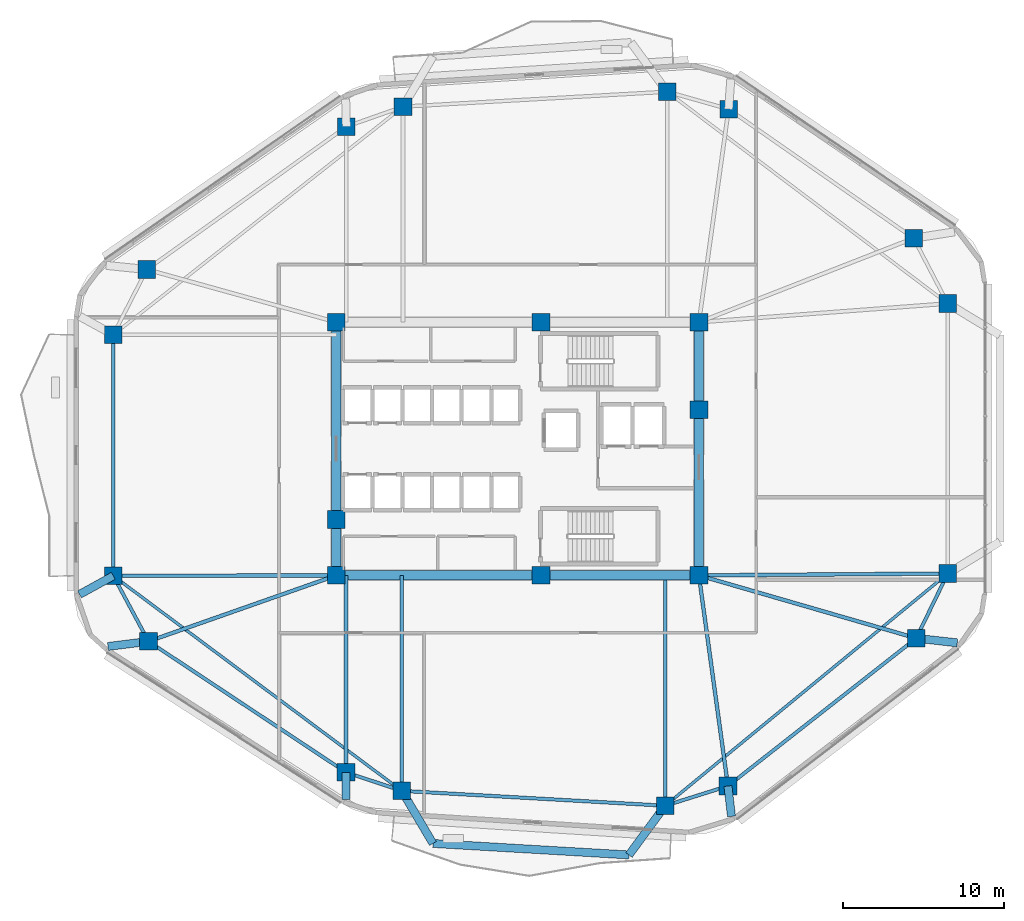
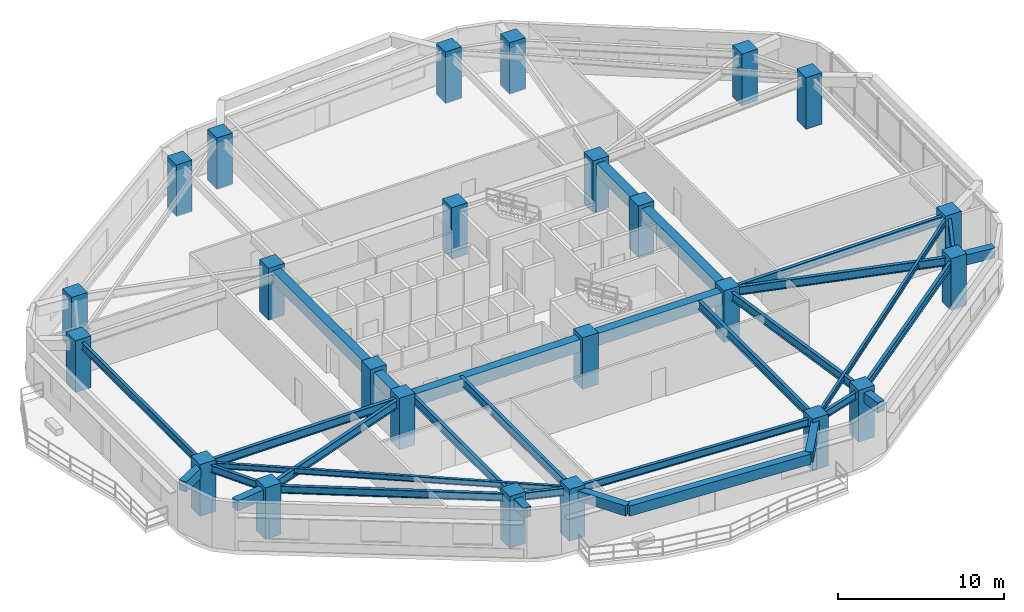
# One storey, part 1 of 13: 32 beams, 24 columns.
"""IFC4 building model written with IfcOpenShell, lengths in metres."""

from ifc_helpers import new_model, si_unit, direction, frame, origin, origin_2d, place, context, subcontext, project, spatial, rectangle, i_section, extrude, material, material_profile, profile_set, type_object, element, save


model = new_model("IFC4")

# Units and contexts
model_context = context("Model", 3, precision=1e-05, world=origin(), true_north=direction((0.0, 1.0)))
body_context = subcontext(model_context, "Body", "Model", "MODEL_VIEW")
ifc_project = project(units=[si_unit("LENGTHUNIT", "METRE"), si_unit("AREAUNIT", "SQUARE_METRE"), si_unit("VOLUMEUNIT", "CUBIC_METRE"), si_unit("PLANEANGLEUNIT", "RADIAN"), si_unit("MASSUNIT", "GRAM", prefix="KILO")], contexts=[model_context])

# Site, building, storey
site_placement = place(None, origin())
site = spatial("IfcSite", under=ifc_project, at=site_placement, CompositionType="ELEMENT")
building_placement = place(site_placement, origin())
building = spatial("IfcBuilding", under=site, at=building_placement, Name="Zulverin Broadcast Headquarters", CompositionType="ELEMENT")
storey_placement = place(building_placement, frame((0.0, 0.0, 108.60009765625)))
storey = spatial("IfcBuildingStorey", under=building, at=storey_placement, Name="L27", CompositionType="ELEMENT", Elevation=108.60009765625)

# Columns
ifc_material_1 = material(Name="Concrete C60/75", Category="concrete")
ifc_material_profile_1 = material_profile(ifc_material_1, rectangle(XDim=1.10009765625, YDim=1.10009765625, at=origin_2d()), Name="Concrete C60/75", Category="concrete")
ifc_profile_set_1 = profile_set([ifc_material_profile_1], Name="Concrete C60/75")
column_type_1 = type_object("IfcColumnType", Name="COL-RC-1100", PredefinedType="COLUMN", material=ifc_profile_set_1)
for number, where, z_axis, x_axis, name in (
    (1, (29.79638671875, 3.922119140625, 0.0), (0.0, 0.0, 1.0), (1.0, 0.0, 0.0), "L27 Perimeter Column T01"),
    (2, (46.175048828125, 2.997802734375, 0.0), (0.0, 0.0, 1.0), (1.0, 0.0, 0.0), "L27 Perimeter Column T02"),
    (3, (50.08056640625, 4.22509765625, 0.0), (0.0, 0.0, 1.0), (1.0, 0.0, 0.0), "L27 Perimeter Column T03"),
    (4, (61.79296875, 13.416259765625, 0.0), (0.0, 0.0, 1.0), (1.0, 0.0, 0.0), "L27 Perimeter Column T04"),
    (5, (63.75, 17.439697265625, 0.0), (0.0, 0.0, 1.0), (1.0, 0.0, 0.0), "L27 Perimeter Column T05"),
    (6, (63.75, 34.235107421875, 0.0), (0.0, 0.0, 1.0), (1.0, 0.0, 0.0), "L27 Perimeter Column T06"),
    (7, (61.630126953125, 38.298583984375, 0.0), (0.0, 0.0, 1.0), (1.0, 0.0, 0.0), "L27 Perimeter Column T07"),
    (8, (50.121826171875, 46.325927734375, 0.0), (0.0, 0.0, 1.0), (1.0, 0.0, 0.0), "L27 Perimeter Column T08"),
    (9, (46.30224609375, 47.4091796875, 0.0), (0.0, 0.0, 1.0), (1.0, 0.0, 0.0), "L27 Perimeter Column T09"),
    (10, (29.873779296875, 46.482177734375, 0.0), (0.0, 0.0, 1.0), (1.0, 0.0, 0.0), "L27 Perimeter Column T10"),
    (11, (26.344482421875, 45.23828125, 0.0), (0.0, 0.0, 1.0), (1.0, 0.0, 0.0), "L27 Perimeter Column T11"),
    (12, (13.934326171875, 36.353759765625, 0.0), (0.0, 0.0, 1.0), (1.0, 0.0, 0.0), "L27 Perimeter Column T12"),
    (13, (11.85009765625, 32.298095703125, 0.0), (0.0, 0.0, 1.0), (1.0, 0.0, 0.0), "L27 Perimeter Column T13"),
    (14, (11.85009765625, 17.297607421875, 0.0), (0.0, 0.0, 1.0), (1.0, 0.0, 0.0), "L27 Perimeter Column T14"),
    (15, (14.0390625, 13.219970703125, 0.0), (0.0, 0.0, 1.0), (1.0, 0.0, 0.0), "L27 Perimeter Column T15"),
    (16, (26.3251953125, 5.075927734375, 0.0), (0.0, 0.0, 1.0), (1.0, 0.0, 0.0), "L27 Perimeter Column T16"),
):
    element("IfcColumn", number, at=place(storey_placement, frame(where, z_axis=z_axis, x_axis=x_axis)), inside=storey, type_object=column_type_1, Name=name, PredefinedType="COLUMN", context=body_context, shape_type="SweptSolid", body=[
        extrude(rectangle(XDim=1.10009765625, YDim=1.10009765625, at=origin_2d()), origin(), (0.0, 0.0, 1.0), 3.7998046875),
    ])
ifc_material_profile_2 = material_profile(ifc_material_1, rectangle(XDim=1.10009765625, YDim=1.10009765625, at=origin_2d()), Name="Concrete C60/75", Category="concrete")
ifc_profile_set_2 = profile_set([ifc_material_profile_2], Name="Concrete C60/75")
column_type_2 = type_object("IfcColumnType", Name="PIL-RC-1100", PredefinedType="PILASTER", material=ifc_profile_set_2)
for number, where, z_axis, x_axis, name in (
    (17, (25.72509765625, 17.324951171875, 0.0), (0.0, 0.0, 1.0), (1.0, 0.0, 0.0), "L27 Core Pilaster K01"),
    (18, (38.449951171875, 17.324951171875, 0.0), (0.0, 0.0, 1.0), (1.0, 0.0, 0.0), "L27 Core Pilaster K02"),
    (19, (48.27490234375, 17.324951171875, 0.0), (0.0, 0.0, 1.0), (1.0, 0.0, 0.0), "L27 Core Pilaster K03"),
    (20, (48.27490234375, 27.6201171875, 0.0), (0.0, 0.0, 1.0), (1.0, 0.0, 0.0), "L27 Core Pilaster K04"),
    (21, (48.27490234375, 33.074951171875, 0.0), (0.0, 0.0, 1.0), (1.0, 0.0, 0.0), "L27 Core Pilaster K05"),
    (22, (38.449951171875, 33.074951171875, 0.0), (0.0, 0.0, 1.0), (1.0, 0.0, 0.0), "L27 Core Pilaster K06"),
    (23, (25.72509765625, 33.074951171875, 0.0), (0.0, 0.0, 1.0), (1.0, 0.0, 0.0), "L27 Core Pilaster K07"),
    (24, (25.72509765625, 20.800048828125, 0.0), (0.0, 0.0, 1.0), (1.0, 0.0, 0.0), "L27 Core Pilaster K08"),
):
    element("IfcColumn", number, at=place(storey_placement, frame(where, z_axis=z_axis, x_axis=x_axis)), inside=storey, type_object=column_type_2, Name=name, PredefinedType="PILASTER", context=body_context, shape_type="SweptSolid", body=[
        extrude(rectangle(XDim=1.10009765625, YDim=1.10009765625, at=origin_2d()), origin(), (0.0, 0.0, 1.0), 3.7998046875),
    ])

# Beams
ifc_material_profile_3 = material_profile(ifc_material_1, rectangle(XDim=0.60009765625, YDim=0.89990234375, at=origin_2d()), Name="Concrete C60/75", Category="concrete")
ifc_profile_set_3 = profile_set([ifc_material_profile_3], Name="Concrete C60/75")
beam_type_1 = type_object("IfcBeamType", Name="BM-CB-600x900", PredefinedType="LINTEL", material=ifc_profile_set_3)
beam_1_placement = place(storey_placement, frame((25.72509765625, 17.324951171875, 3.074951171875), z_axis=(1.0, 0.0, 0.0), x_axis=(0.0, 1.0, 0.0)))
element("IfcBeam", 25, at=beam_1_placement, inside=storey, type_object=beam_type_1, Name="L27 Core Coupling Girder K01-K02", PredefinedType="LINTEL", context=body_context, shape_type="SweptSolid", body=[
    extrude(rectangle(XDim=0.60009765625, YDim=0.89990234375, at=origin_2d()), origin(), (0.0, 0.0, 1.0), 12.724853515625),
])
beam_2_placement = place(storey_placement, frame((38.449951171875, 17.324951171875, 3.074951171875), z_axis=(1.0, 0.0, 0.0), x_axis=(0.0, 1.0, 0.0)))
element("IfcBeam", 26, at=beam_2_placement, inside=storey, type_object=beam_type_1, Name="L27 Core Coupling Girder K02-K03", PredefinedType="LINTEL", context=body_context, shape_type="SweptSolid", body=[
    extrude(rectangle(XDim=0.60009765625, YDim=0.89990234375, at=origin_2d()), origin(), (0.0, 0.0, 1.0), 9.824951171875),
])
beam_3_placement = place(storey_placement, frame((48.27490234375, 17.324951171875, 3.074951171875), z_axis=(0.0, 1.0, 0.0), x_axis=(-1.0, 0.0, 0.0)))
element("IfcBeam", 27, at=beam_3_placement, inside=storey, type_object=beam_type_1, Name="L27 Core Coupling Girder K03-K04", PredefinedType="LINTEL", context=body_context, shape_type="SweptSolid", body=[
    extrude(rectangle(XDim=0.60009765625, YDim=0.89990234375, at=origin_2d()), origin(), (0.0, 0.0, 1.0), 10.295166015625),
])
beam_4_placement = place(storey_placement, frame((48.27490234375, 27.6201171875, 3.074951171875), z_axis=(0.0, 1.0, 0.0), x_axis=(-1.0, 0.0, 0.0)))
element("IfcBeam", 28, at=beam_4_placement, inside=storey, type_object=beam_type_1, Name="L27 Core Coupling Girder K04-K05", PredefinedType="LINTEL", context=body_context, shape_type="SweptSolid", body=[
    extrude(rectangle(XDim=0.60009765625, YDim=0.89990234375, at=origin_2d()), origin(), (0.0, 0.0, 1.0), 5.454833984375),
])
beam_5_placement = place(storey_placement, frame((25.72509765625, 33.074951171875, 3.074951171875), z_axis=(0.0, -1.0, 0.0), x_axis=(1.0, 0.0, 0.0)))
element("IfcBeam", 29, at=beam_5_placement, inside=storey, type_object=beam_type_1, Name="L27 Core Coupling Girder K07-K08", PredefinedType="LINTEL", context=body_context, shape_type="SweptSolid", body=[
    extrude(rectangle(XDim=0.60009765625, YDim=0.89990234375, at=origin_2d()), origin(), (0.0, 0.0, 1.0), 12.27490234375),
])
beam_6_placement = place(storey_placement, frame((25.72509765625, 20.800048828125, 3.074951171875), z_axis=(0.0, -1.0, 0.0), x_axis=(1.0, 0.0, 0.0)))
element("IfcBeam", 30, at=beam_6_placement, inside=storey, type_object=beam_type_1, Name="L27 Core Coupling Girder K08-K01", PredefinedType="LINTEL", context=body_context, shape_type="SweptSolid", body=[
    extrude(rectangle(XDim=0.60009765625, YDim=0.89990234375, at=origin_2d()), origin(), (0.0, 0.0, 1.0), 3.47509765625),
])
ifc_material_2 = material(Name="Concrete C40/50", Category="concrete")
ifc_material_profile_4 = material_profile(ifc_material_2, rectangle(XDim=0.5, YDim=0.75, at=origin_2d()), Name="Concrete C40/50", Category="concrete")
ifc_profile_set_4 = profile_set([ifc_material_profile_4], Name="Concrete C40/50")
beam_type_2 = type_object("IfcBeamType", Name="BM-RC-500x750", PredefinedType="BEAM", material=ifc_profile_set_4)
beam_7_placement = place(storey_placement, frame((50.08056640625, 4.22509765625, 3.14990234375), z_axis=(0.115916621896, -0.99325894749, 0.0), x_axis=(0.99325894749, 0.115916621896, 0.0)))
element("IfcBeam", 31, at=beam_7_placement, inside=storey, type_object=beam_type_2, Name="L28 Plate Overhang Back-Spanned Beam OVR-03", PredefinedType="BEAM", context=body_context, shape_type="SweptSolid", body=[
    extrude(rectangle(XDim=0.5, YDim=0.75, at=origin_2d()), origin(), (0.0, 0.0, 1.0), 1.899658203125),
])
beam_8_placement = place(storey_placement, frame((61.79296875, 13.416259765625, 3.14990234375), z_axis=(0.993797661948, -0.111203449166, 0.0), x_axis=(0.111203449166, 0.993797661948, 0.0)))
element("IfcBeam", 32, at=beam_8_placement, inside=storey, type_object=beam_type_2, Name="L28 Plate Overhang Back-Spanned Beam OVR-04", PredefinedType="BEAM", context=body_context, shape_type="SweptSolid", body=[
    extrude(rectangle(XDim=0.5, YDim=0.75, at=origin_2d()), origin(), (0.0, 0.0, 1.0), 2.568603515625),
])
beam_9_placement = place(storey_placement, frame((11.85009765625, 17.297607421875, 3.14990234375), z_axis=(-0.876392237524, -0.481598012878, 0.0), x_axis=(0.481598012878, -0.876392237524, 0.0)))
element("IfcBeam", 33, at=beam_9_placement, inside=storey, type_object=beam_type_2, Name="L28 Plate Overhang Back-Spanned Beam OVR-14", PredefinedType="BEAM", context=body_context, shape_type="SweptSolid", body=[
    extrude(rectangle(XDim=0.5, YDim=0.75, at=origin_2d()), origin(), (0.0, 0.0, 1.0), 2.396240234375),
])
beam_10_placement = place(storey_placement, frame((14.0390625, 13.219970703125, 3.14990234375), z_axis=(-0.992258640565, -0.124188526941, 0.0), x_axis=(0.124188526941, -0.992258640565, 0.0)))
element("IfcBeam", 34, at=beam_10_placement, inside=storey, type_object=beam_type_2, Name="L28 Plate Overhang Back-Spanned Beam OVR-15", PredefinedType="BEAM", context=body_context, shape_type="SweptSolid", body=[
    extrude(rectangle(XDim=0.5, YDim=0.75, at=origin_2d()), origin(), (0.0, 0.0, 1.0), 2.5400390625),
])
beam_11_placement = place(storey_placement, frame((26.3251953125, 5.075927734375, 3.14990234375), z_axis=(0.006204786761, -0.999980750125, 0.0), x_axis=(0.999980750125, 0.006204786761, 0.0)))
element("IfcBeam", 35, at=beam_11_placement, inside=storey, type_object=beam_type_2, Name="L28 Plate Overhang Back-Spanned Beam OVR-16", PredefinedType="BEAM", context=body_context, shape_type="SweptSolid", body=[
    extrude(rectangle(XDim=0.5, YDim=0.75, at=origin_2d()), origin(), (0.0, 0.0, 1.0), 1.69189453125),
])
beam_12_placement = place(storey_placement, frame((29.79638671875, 3.922119140625, 3.14990234375), z_axis=(0.509317980618, -0.860578407014, 0.0), x_axis=(0.860578407014, 0.509317980618, 0.0)))
element("IfcBeam", 36, at=beam_12_placement, inside=storey, type_object=beam_type_2, Name="L28 Balcony Column-Framed Cantilever BAL_S-1", PredefinedType="BEAM", context=body_context, shape_type="SweptSolid", body=[
    extrude(rectangle(XDim=0.5, YDim=0.75, at=origin_2d()), origin(), (0.0, 0.0, 1.0), 3.7998046875),
])
beam_13_placement = place(storey_placement, frame((46.175048828125, 2.997802734375, 3.14990234375), z_axis=(-0.592479980496, -0.805585174088, 0.0), x_axis=(0.805585174088, -0.592479980496, 0.0)))
element("IfcBeam", 37, at=beam_13_placement, inside=storey, type_object=beam_type_2, Name="L28 Balcony Column-Framed Cantilever BAL_S-2", PredefinedType="BEAM", context=body_context, shape_type="SweptSolid", body=[
    extrude(rectangle(XDim=0.5, YDim=0.75, at=origin_2d()), origin(), (0.0, 0.0, 1.0), 3.800048828125),
])
beam_14_placement = place(storey_placement, frame((31.731689453125, 0.652099609375, 3.14990234375), z_axis=(0.998282016209, -0.058591945803, 0.0), x_axis=(0.058591945803, 0.998282016209, 0.0)))
element("IfcBeam", 38, at=beam_14_placement, inside=storey, type_object=beam_type_2, Name="L28 Balcony Outer Edge Trimmer Beam BAL_S", PredefinedType="BEAM", context=body_context, shape_type="SweptSolid", body=[
    extrude(rectangle(XDim=0.5, YDim=0.75, at=origin_2d()), origin(), (0.0, 0.0, 1.0), 12.212890625),
])
ifc_material_3 = material(Name="Structural steel S355JR", Category="steel")
ifc_material_profile_5 = material_profile(ifc_material_3, i_section(OverallWidth=0.179443359375, OverallDepth=0.412841796875, WebThickness=0.009521484375, FlangeThickness=0.01611328125, at=origin_2d()), Name="Structural steel S355JR", Category="steel")
ifc_profile_set_5 = profile_set([ifc_material_profile_5], Name="Structural steel S355JR")
beam_type_3 = type_object("IfcBeamType", Name="BM-UB-406", PredefinedType="JOIST", material=ifc_profile_set_5)
beam_15_placement = place(storey_placement, frame((46.175048828125, 2.997802734375, 3.318603515625), z_axis=(0.772611370623, 0.634879256224, 0.0), x_axis=(-0.634879256224, 0.772611370623, 0.0)))
element("IfcBeam", 39, at=beam_15_placement, inside=storey, type_object=beam_type_3, Name="L27 Chordal Floor Joist J-01", PredefinedType="JOIST", context=body_context, shape_type="SweptSolid", body=[
    extrude(i_section(OverallWidth=0.179443359375, OverallDepth=0.412841796875, WebThickness=0.009521484375, FlangeThickness=0.01611328125, at=origin_2d()), origin(), (0.0, 0.0, 1.0), 22.74755859375),
])
beam_16_placement = place(storey_placement, frame((11.85009765625, 17.297607421875, 3.318603515625), z_axis=(0.801802688634, -0.59758886243, 0.0), x_axis=(0.59758886243, 0.801802688634, 0.0)))
element("IfcBeam", 40, at=beam_16_placement, inside=storey, type_object=beam_type_3, Name="L27 Chordal Floor Joist J-04", PredefinedType="JOIST", context=body_context, shape_type="SweptSolid", body=[
    extrude(i_section(OverallWidth=0.179443359375, OverallDepth=0.412841796875, WebThickness=0.009521484375, FlangeThickness=0.01611328125, at=origin_2d()), origin(), (0.0, 0.0, 1.0), 22.38232421875),
])
ifc_material_profile_6 = material_profile(ifc_material_3, i_section(OverallWidth=0.2119140625, OverallDepth=0.54443359375, WebThickness=0.0126953125, FlangeThickness=0.021240234375, at=origin_2d()), Name="Structural steel S355JR", Category="steel")
ifc_profile_set_6 = profile_set([ifc_material_profile_6], Name="Structural steel S355JR")
beam_type_4 = type_object("IfcBeamType", Name="BM-UB-533", PredefinedType="SPANDREL", material=ifc_profile_set_6)
beam_17_placement = place(storey_placement, frame((29.79638671875, 3.922119140625, 3.252685546875), z_axis=(0.998411385104, -0.056344530297, 0.0), x_axis=(0.056344530297, 0.998411385104, 0.0)))
element("IfcBeam", 41, at=beam_17_placement, inside=storey, type_object=beam_type_4, Name="L27 Perimeter Spandrel Beam SP-01", PredefinedType="SPANDREL", context=body_context, shape_type="SweptSolid", body=[
    extrude(i_section(OverallWidth=0.2119140625, OverallDepth=0.54443359375, WebThickness=0.0126953125, FlangeThickness=0.021240234375, at=origin_2d()), origin(), (0.0, 0.0, 1.0), 16.40478515625),
])
beam_18_placement = place(storey_placement, frame((46.175048828125, 2.997802734375, 3.252685546875), z_axis=(0.954004438448, 0.299792480595, 0.0), x_axis=(-0.299792480595, 0.954004438448, 0.0)))
element("IfcBeam", 42, at=beam_18_placement, inside=storey, type_object=beam_type_4, Name="L27 Perimeter Spandrel Beam SP-02", PredefinedType="SPANDREL", context=body_context, shape_type="SweptSolid", body=[
    extrude(i_section(OverallWidth=0.2119140625, OverallDepth=0.54443359375, WebThickness=0.0126953125, FlangeThickness=0.021240234375, at=origin_2d()), origin(), (0.0, 0.0, 1.0), 4.09375),
])
beam_19_placement = place(storey_placement, frame((50.08056640625, 4.22509765625, 3.252685546875), z_axis=(0.786691476208, 0.617346354376, 0.0), x_axis=(-0.617346354376, 0.786691476208, 0.0)))
element("IfcBeam", 43, at=beam_19_placement, inside=storey, type_object=beam_type_4, Name="L27 Perimeter Spandrel Beam SP-03", PredefinedType="SPANDREL", context=body_context, shape_type="SweptSolid", body=[
    extrude(i_section(OverallWidth=0.2119140625, OverallDepth=0.54443359375, WebThickness=0.0126953125, FlangeThickness=0.021240234375, at=origin_2d()), origin(), (0.0, 0.0, 1.0), 14.88818359375),
])
beam_20_placement = place(storey_placement, frame((61.79296875, 13.416259765625, 3.252685546875), z_axis=(0.437408475872, 0.899262934428, 0.0), x_axis=(-0.899262934428, 0.437408475872, 0.0)))
element("IfcBeam", 44, at=beam_20_placement, inside=storey, type_object=beam_type_4, Name="L27 Perimeter Spandrel Beam SP-04", PredefinedType="SPANDREL", context=body_context, shape_type="SweptSolid", body=[
    extrude(i_section(OverallWidth=0.2119140625, OverallDepth=0.54443359375, WebThickness=0.0126953125, FlangeThickness=0.021240234375, at=origin_2d()), origin(), (0.0, 0.0, 1.0), 4.47412109375),
])
beam_21_placement = place(storey_placement, frame((11.85009765625, 32.298095703125, 3.252685546875), z_axis=(0.0, -1.0, 0.0), x_axis=(1.0, 0.0, 0.0)))
element("IfcBeam", 45, at=beam_21_placement, inside=storey, type_object=beam_type_4, Name="L27 Perimeter Spandrel Beam SP-13", PredefinedType="SPANDREL", context=body_context, shape_type="SweptSolid", body=[
    extrude(i_section(OverallWidth=0.2119140625, OverallDepth=0.54443359375, WebThickness=0.0126953125, FlangeThickness=0.021240234375, at=origin_2d()), origin(), (0.0, 0.0, 1.0), 15.00048828125),
])
beam_22_placement = place(storey_placement, frame((11.85009765625, 17.297607421875, 3.252685546875), z_axis=(0.472979536362, -0.881073412482, 0.0), x_axis=(0.881073412482, 0.472979536362, 0.0)))
element("IfcBeam", 46, at=beam_22_placement, inside=storey, type_object=beam_type_4, Name="L27 Perimeter Spandrel Beam SP-14", PredefinedType="SPANDREL", context=body_context, shape_type="SweptSolid", body=[
    extrude(i_section(OverallWidth=0.2119140625, OverallDepth=0.54443359375, WebThickness=0.0126953125, FlangeThickness=0.021240234375, at=origin_2d()), origin(), (0.0, 0.0, 1.0), 4.6279296875),
])
beam_23_placement = place(storey_placement, frame((14.0390625, 13.219970703125, 3.252685546875), z_axis=(0.833510030956, -0.552504324232, 0.0), x_axis=(0.552504324232, 0.833510030956, 0.0)))
element("IfcBeam", 47, at=beam_23_placement, inside=storey, type_object=beam_type_4, Name="L27 Perimeter Spandrel Beam SP-15", PredefinedType="SPANDREL", context=body_context, shape_type="SweptSolid", body=[
    extrude(i_section(OverallWidth=0.2119140625, OverallDepth=0.54443359375, WebThickness=0.0126953125, FlangeThickness=0.021240234375, at=origin_2d()), origin(), (0.0, 0.0, 1.0), 14.740234375),
])
beam_24_placement = place(storey_placement, frame((26.3251953125, 5.075927734375, 3.252685546875), z_axis=(0.948949931395, -0.315426739047, 0.0), x_axis=(0.315426739047, 0.948949931395, 0.0)))
element("IfcBeam", 48, at=beam_24_placement, inside=storey, type_object=beam_type_4, Name="L27 Perimeter Spandrel Beam SP-16", PredefinedType="SPANDREL", context=body_context, shape_type="SweptSolid", body=[
    extrude(i_section(OverallWidth=0.2119140625, OverallDepth=0.54443359375, WebThickness=0.0126953125, FlangeThickness=0.021240234375, at=origin_2d()), origin(), (0.0, 0.0, 1.0), 3.657958984375),
])
ifc_material_profile_7 = material_profile(ifc_material_3, i_section(OverallWidth=0.230224609375, OverallDepth=0.6171875, WebThickness=0.01318359375, FlangeThickness=0.022216796875, at=origin_2d()), Name="Structural steel S355JR", Category="steel")
ifc_profile_set_7 = profile_set([ifc_material_profile_7], Name="Structural steel S355JR")
beam_type_5 = type_object("IfcBeamType", Name="BM-UB-610", PredefinedType="BEAM", material=ifc_profile_set_7)
beam_25_placement = place(storey_placement, frame((29.79638671875, 17.324951171875, 3.21630859375), z_axis=(0.0, -1.0, 0.0), x_axis=(1.0, 0.0, 0.0)))
element("IfcBeam", 49, at=beam_25_placement, inside=storey, type_object=beam_type_5, Name="L27 Radial Primary Floor Beam RB-01", PredefinedType="BEAM", context=body_context, shape_type="SweptSolid", body=[
    extrude(i_section(OverallWidth=0.230224609375, OverallDepth=0.6171875, WebThickness=0.01318359375, FlangeThickness=0.022216796875, at=origin_2d()), origin(), (0.0, 0.0, 1.0), 13.40283203125),
])
beam_26_placement = place(storey_placement, frame((46.175048828125, 17.324951171875, 3.21630859375), z_axis=(0.0, -1.0, 0.0), x_axis=(1.0, 0.0, 0.0)))
element("IfcBeam", 50, at=beam_26_placement, inside=storey, type_object=beam_type_5, Name="L27 Radial Primary Floor Beam RB-02", PredefinedType="BEAM", context=body_context, shape_type="SweptSolid", body=[
    extrude(i_section(OverallWidth=0.230224609375, OverallDepth=0.6171875, WebThickness=0.01318359375, FlangeThickness=0.022216796875, at=origin_2d()), origin(), (0.0, 0.0, 1.0), 14.3271484375),
])
beam_27_placement = place(storey_placement, frame((48.27490234375, 17.324951171875, 3.21630859375), z_axis=(0.136547433081, -0.990633533916, 0.0), x_axis=(0.990633533916, 0.136547433081, 0.0)))
element("IfcBeam", 51, at=beam_27_placement, inside=storey, type_object=beam_type_5, Name="L27 Radial Primary Floor Beam RB-03", PredefinedType="BEAM", context=body_context, shape_type="SweptSolid", body=[
    extrude(i_section(OverallWidth=0.230224609375, OverallDepth=0.6171875, WebThickness=0.01318359375, FlangeThickness=0.022216796875, at=origin_2d()), origin(), (0.0, 0.0, 1.0), 13.2236328125),
])
beam_28_placement = place(storey_placement, frame((48.27490234375, 17.324951171875, 3.21630859375), z_axis=(0.960648363311, -0.277767388416, 0.0), x_axis=(0.277767388416, 0.960648363311, 0.0)))
element("IfcBeam", 52, at=beam_28_placement, inside=storey, type_object=beam_type_5, Name="L27 Radial Primary Floor Beam RB-04", PredefinedType="BEAM", context=body_context, shape_type="SweptSolid", body=[
    extrude(i_section(OverallWidth=0.230224609375, OverallDepth=0.6171875, WebThickness=0.01318359375, FlangeThickness=0.022216796875, at=origin_2d()), origin(), (0.0, 0.0, 1.0), 14.07177734375),
])
beam_29_placement = place(storey_placement, frame((48.27490234375, 17.324951171875, 3.21630859375), z_axis=(0.999972510862, 0.007414682739, 0.0), x_axis=(-0.007414682739, 0.999972510862, 0.0)))
element("IfcBeam", 53, at=beam_29_placement, inside=storey, type_object=beam_type_5, Name="L27 Radial Primary Floor Beam RB-05", PredefinedType="BEAM", context=body_context, shape_type="SweptSolid", body=[
    extrude(i_section(OverallWidth=0.230224609375, OverallDepth=0.6171875, WebThickness=0.01318359375, FlangeThickness=0.022216796875, at=origin_2d()), origin(), (0.0, 0.0, 1.0), 15.4755859375),
])
beam_30_placement = place(storey_placement, frame((25.72509765625, 17.324951171875, 3.21630859375), z_axis=(-0.999998058136, -0.001970716894, 0.0), x_axis=(0.001970716894, -0.999998058136, 0.0)))
element("IfcBeam", 54, at=beam_30_placement, inside=storey, type_object=beam_type_5, Name="L27 Radial Primary Floor Beam RB-14", PredefinedType="BEAM", context=body_context, shape_type="SweptSolid", body=[
    extrude(i_section(OverallWidth=0.230224609375, OverallDepth=0.6171875, WebThickness=0.01318359375, FlangeThickness=0.022216796875, at=origin_2d()), origin(), (0.0, 0.0, 1.0), 13.875),
])
beam_31_placement = place(storey_placement, frame((25.72509765625, 17.324951171875, 3.21630859375), z_axis=(-0.943483462345, -0.331419607569, 0.0), x_axis=(0.331419607569, -0.943483462345, 0.0)))
element("IfcBeam", 55, at=beam_31_placement, inside=storey, type_object=beam_type_5, Name="L27 Radial Primary Floor Beam RB-15", PredefinedType="BEAM", context=body_context, shape_type="SweptSolid", body=[
    extrude(i_section(OverallWidth=0.230224609375, OverallDepth=0.6171875, WebThickness=0.01318359375, FlangeThickness=0.022216796875, at=origin_2d()), origin(), (0.0, 0.0, 1.0), 12.385986328125),
])
beam_32_placement = place(storey_placement, frame((26.3251953125, 17.324951171875, 3.21630859375), z_axis=(0.0, -1.0, 0.0), x_axis=(1.0, 0.0, 0.0)))
element("IfcBeam", 56, at=beam_32_placement, inside=storey, type_object=beam_type_5, Name="L27 Radial Primary Floor Beam RB-16", PredefinedType="BEAM", context=body_context, shape_type="SweptSolid", body=[
    extrude(i_section(OverallWidth=0.230224609375, OverallDepth=0.6171875, WebThickness=0.01318359375, FlangeThickness=0.022216796875, at=origin_2d()), origin(), (0.0, 0.0, 1.0), 12.2490234375),
])

save(model, "model.ifc")
